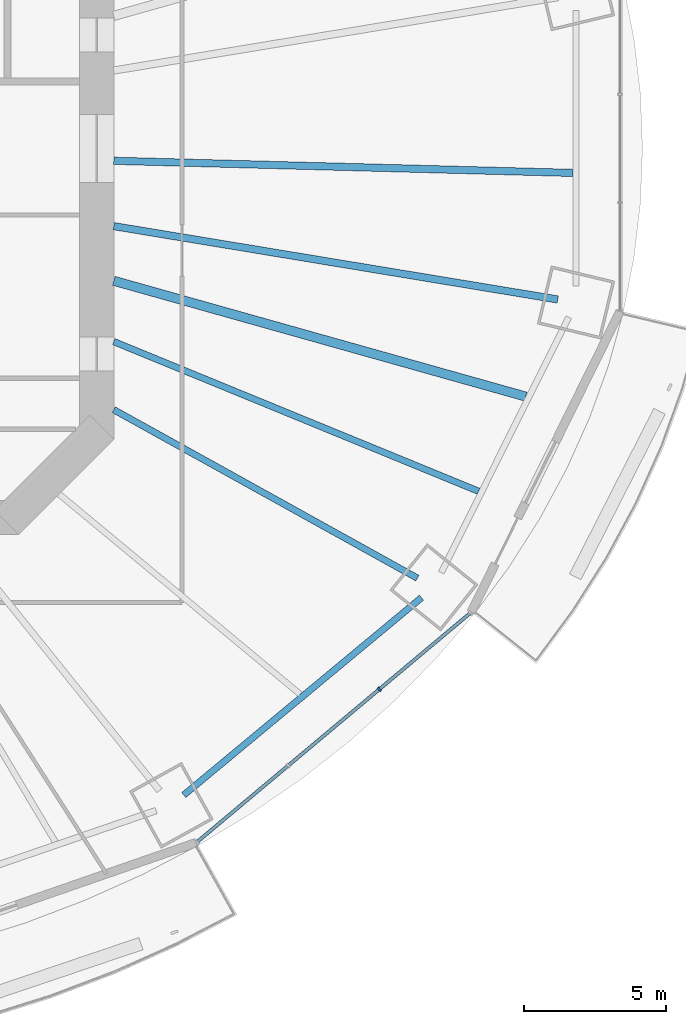
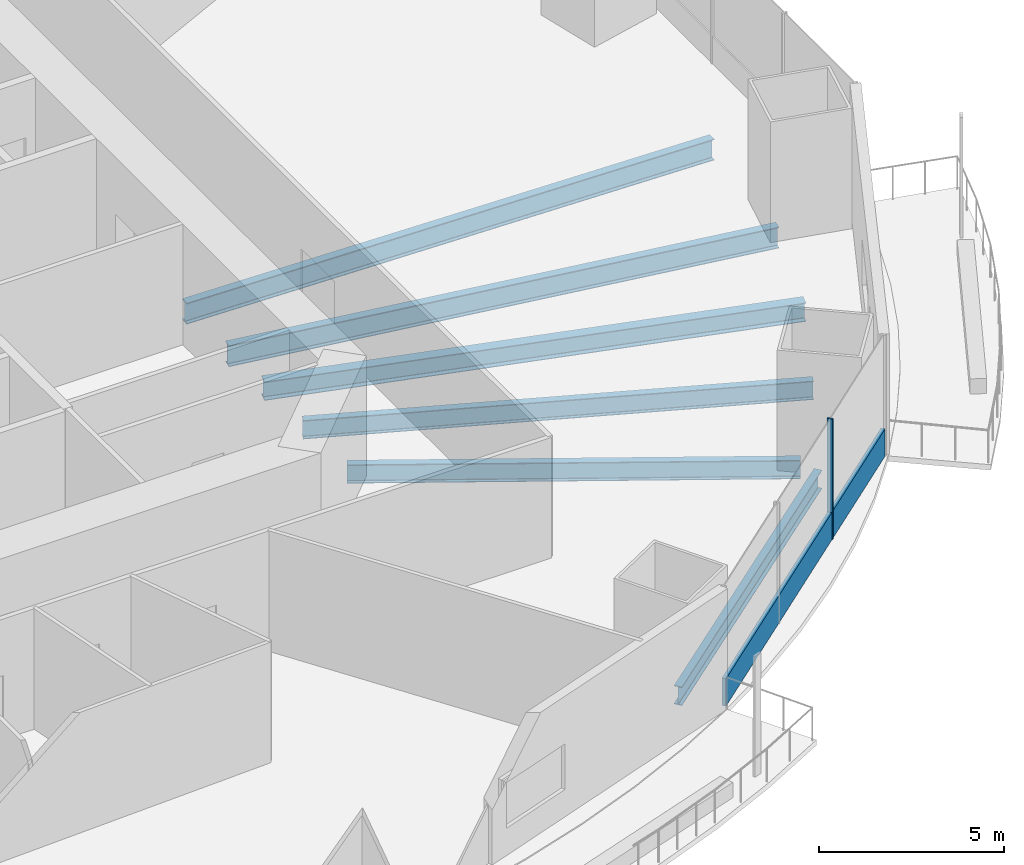
# One storey, part 5 of 22: 6 beams, 2 members, 1 element without a shape of its own.
"""IFC4 building model written with IfcOpenShell, lengths in metres."""

from ifc_helpers import new_model, si_unit, direction, frame, origin, origin_2d, place, context, subcontext, project, spatial, rectangle, i_section, extrude, material, material_profile, profile_set, type_object, element, aggregate, save


model = new_model("IFC4")

# Units and contexts
model_context = context("Model", 3, precision=1e-05, world=origin(), true_north=direction((0.0, 1.0)))
body_context = subcontext(model_context, "Body", "Model", "MODEL_VIEW")
ifc_project = project(units=[si_unit("LENGTHUNIT", "METRE"), si_unit("AREAUNIT", "SQUARE_METRE"), si_unit("VOLUMEUNIT", "CUBIC_METRE"), si_unit("PLANEANGLEUNIT", "RADIAN"), si_unit("MASSUNIT", "GRAM", prefix="KILO")], contexts=[model_context])

# Site, building, storey
site_placement = place(None, origin())
site = spatial("IfcSite", under=ifc_project, at=site_placement, CompositionType="ELEMENT")
building_placement = place(site_placement, origin())
building = spatial("IfcBuilding", under=site, at=building_placement, Name="Marenthal Gate Tower", CompositionType="ELEMENT")
storey_placement = place(building_placement, frame((0.0, 0.0, 86.949951171875)))
storey = spatial("IfcBuildingStorey", under=building, at=storey_placement, Name="L17", CompositionType="ELEMENT", Elevation=86.949951171875)

# Curtain wall, members
ifc_material_1 = material(Name="Aluminium and glass", Category="aluminium")
curtain_wall_type = type_object("IfcCurtainWallType", Name="Curtain wall typical low", PredefinedType="NOTDEFINED", material=ifc_material_1)
curtain_wall_placement = place(storey_placement, origin())
curtain_wall = element("IfcCurtainWall", 1, at=curtain_wall_placement, inside=storey, type_object=curtain_wall_type, Name="Curtain wall L17 bay 14", PredefinedType="NOTDEFINED")
ifc_material_2 = material(Name="Aluminium", Category="aluminium")
ifc_material_profile_1 = material_profile(ifc_material_2, rectangle(XDim=0.159912109375, YDim=0.06005859375, at=origin_2d()), Name="60x160 aluminium mullion")
ifc_profile_set_1 = profile_set([ifc_material_profile_1], Name="Aluminium")
member_type_1 = type_object("IfcMemberType", Name="Mullion 60x160 typical low", PredefinedType="MULLION", material=ifc_profile_set_1)
member_1_placement = place(storey_placement, frame((25.95703125, -19.0556640625, 0.0), z_axis=(0.0, 0.0, 1.0), x_axis=(-0.642228281301, 0.766513427604, 0.0)))
member_1 = element("IfcMember", 2, at=member_1_placement, type_object=member_type_1, Name="Mullion L17 bay 14.3", PredefinedType="MULLION", context=body_context, shape_type="SweptSolid", body=[
    extrude(rectangle(XDim=0.159912109375, YDim=0.06005859375, at=origin_2d()), origin(), (0.0, 0.0, 1.0), 3.969970703125),
])
ifc_material_3 = material(Name="Aluminium", Category="aluminium")
ifc_material_profile_2 = material_profile(ifc_material_3, rectangle(XDim=0.1201171875, YDim=0.89990234375, at=origin_2d()), Name="120x900 aluminium transom")
ifc_profile_set_2 = profile_set([ifc_material_profile_2], Name="Aluminium")
member_type_2 = type_object("IfcMemberType", Name="Transom 120x900 typical low", PredefinedType="USERDEFINED", material=ifc_profile_set_2)
member_2_placement = place(storey_placement, frame((19.552490234375, -24.421630859375, 0.449951171875), z_axis=(0.766517626831, 0.642223269399, 0.0), x_axis=(-0.642223269399, 0.766517626831, 0.0)))
member_2 = element("IfcMember", 3, at=member_2_placement, type_object=member_type_2, Name="Transom L17 bay 14", ObjectType="TRANSOM", PredefinedType="USERDEFINED", context=body_context, shape_type="SweptSolid", body=[
    extrude(rectangle(XDim=0.1201171875, YDim=0.89990234375, at=origin_2d()), origin(), (0.0, 0.0, 1.0), 12.517822265625),
])
aggregate(curtain_wall, [member_1, member_2])

# Beams
ifc_material_4 = material(Name="Steel S355", Category="steel")
ifc_material_profile_3 = material_profile(ifc_material_4, i_section(OverallWidth=0.22900390625, OverallDepth=0.612060546875, WebThickness=0.011962890625, FlangeThickness=0.01953125, FilletRadius=0.0126953125, at=origin_2d()), Name="W610X125")
ifc_profile_set_3 = profile_set([ifc_material_profile_3], Name="Steel S355")
beam_type_1 = type_object("IfcBeamType", Name="W610X125 beam", PredefinedType="BEAM", material=ifc_profile_set_3)
beam_1_placement = place(storey_placement, frame((27.296630859375, -15.142333984375, -0.48583984375), z_axis=(-0.874458374023, 0.485100558752, 0.0), x_axis=(-0.485100558752, -0.874458374023, 0.0)))
element("IfcBeam", 4, at=beam_1_placement, inside=storey, type_object=beam_type_1, Name="BM-L17-15", PredefinedType="BEAM", context=body_context, shape_type="SweptSolid", body=[
    extrude(i_section(OverallWidth=0.22900390625, OverallDepth=0.612060546875, WebThickness=0.011962890625, FlangeThickness=0.01953125, FilletRadius=0.0126953125, at=origin_2d()), origin(), (0.0, 0.0, 1.0), 12.232177734375),
])
beam_2_placement = place(storey_placement, frame((29.45068359375, -12.08056640625, -0.48583984375), z_axis=(-0.925188716507, 0.379507363365, 0.0), x_axis=(-0.379507363365, -0.925188716507, 0.0)))
element("IfcBeam", 5, at=beam_2_placement, inside=storey, type_object=beam_type_1, Name="BM-L17-38", PredefinedType="BEAM", context=body_context, shape_type="SweptSolid", body=[
    extrude(i_section(OverallWidth=0.22900390625, OverallDepth=0.612060546875, WebThickness=0.011962890625, FlangeThickness=0.01953125, FilletRadius=0.0126953125, at=origin_2d()), origin(), (0.0, 0.0, 1.0), 13.8896484375),
])
beam_3_placement = place(storey_placement, frame((19.066162109375, -22.783447265625, -0.48583984375), z_axis=(0.769402188258, 0.638764645784, 0.0), x_axis=(-0.638764645784, 0.769402188258, 0.0)))
element("IfcBeam", 6, at=beam_3_placement, inside=storey, type_object=beam_type_1, Name="BM-L17-54", PredefinedType="BEAM", context=body_context, shape_type="SweptSolid", body=[
    extrude(i_section(OverallWidth=0.22900390625, OverallDepth=0.612060546875, WebThickness=0.011962890625, FlangeThickness=0.01953125, FilletRadius=0.0126953125, at=origin_2d()), origin(), (0.0, 0.0, 1.0), 10.884033203125),
])
ifc_material_5 = material(Name="Steel S355", Category="steel")
ifc_material_profile_4 = material_profile(ifc_material_5, i_section(OverallWidth=0.324951171875, OverallDepth=0.612060546875, WebThickness=0.0126953125, FlangeThickness=0.01904296875, FilletRadius=0.0126953125, at=origin_2d()), Name="W610X155")
ifc_profile_set_4 = profile_set([ifc_material_profile_4], Name="Steel S355")
beam_type_2 = type_object("IfcBeamType", Name="W610X155 beam", PredefinedType="BEAM", material=ifc_profile_set_4)
beam_4_placement = place(storey_placement, frame((31.114013671875, -8.74658203125, -0.48583984375), z_axis=(-0.962684828959, 0.270625054443, 0.0), x_axis=(-0.270625054443, -0.962684828959, 0.0)))
element("IfcBeam", 7, at=beam_4_placement, inside=storey, type_object=beam_type_2, Name="BM-L17-39", PredefinedType="BEAM", context=body_context, shape_type="SweptSolid", body=[
    extrude(i_section(OverallWidth=0.324951171875, OverallDepth=0.612060546875, WebThickness=0.0126953125, FlangeThickness=0.01904296875, FilletRadius=0.0126953125, at=origin_2d()), origin(), (0.0, 0.0, 1.0), 15.076416015625),
])
ifc_material_6 = material(Name="Steel S355", Category="steel")
ifc_material_profile_5 = material_profile(ifc_material_6, i_section(OverallWidth=0.257080078125, OverallDepth=0.693115234375, WebThickness=0.014404296875, FlangeThickness=0.023681640625, FilletRadius=0.015380859375, at=origin_2d()), Name="W690X170")
ifc_profile_set_5 = profile_set([ifc_material_profile_5], Name="Steel S355")
beam_type_3 = type_object("IfcBeamType", Name="W690X170 beam", PredefinedType="BEAM", material=ifc_profile_set_5)
beam_5_placement = place(storey_placement, frame((32.242431640625, -5.324462890625, -0.5263671875), z_axis=(-0.986636314494, 0.162937972619, 0.0), x_axis=(-0.162937972619, -0.986636314494, 0.0)))
element("IfcBeam", 8, at=beam_5_placement, inside=storey, type_object=beam_type_3, Name="BM-L17-16", PredefinedType="BEAM", context=body_context, shape_type="SweptSolid", body=[
    extrude(i_section(OverallWidth=0.257080078125, OverallDepth=0.693115234375, WebThickness=0.014404296875, FlangeThickness=0.023681640625, FilletRadius=0.015380859375, at=origin_2d()), origin(), (0.0, 0.0, 1.0), 15.854248046875),
])
beam_6_placement = place(storey_placement, frame((32.78076171875, -0.8662109375, -0.5263671875), z_axis=(-0.999651179151, 0.026410604362, 0.0), x_axis=(-0.026410604362, -0.999651179151, 0.0)))
element("IfcBeam", 9, at=beam_6_placement, inside=storey, type_object=beam_type_3, Name="BM-L17-40", PredefinedType="BEAM", context=body_context, shape_type="SweptSolid", body=[
    extrude(i_section(OverallWidth=0.257080078125, OverallDepth=0.693115234375, WebThickness=0.014404296875, FlangeThickness=0.023681640625, FilletRadius=0.015380859375, at=origin_2d()), origin(), (0.0, 0.0, 1.0), 16.186279296875),
])

save(model, "model.ifc")
